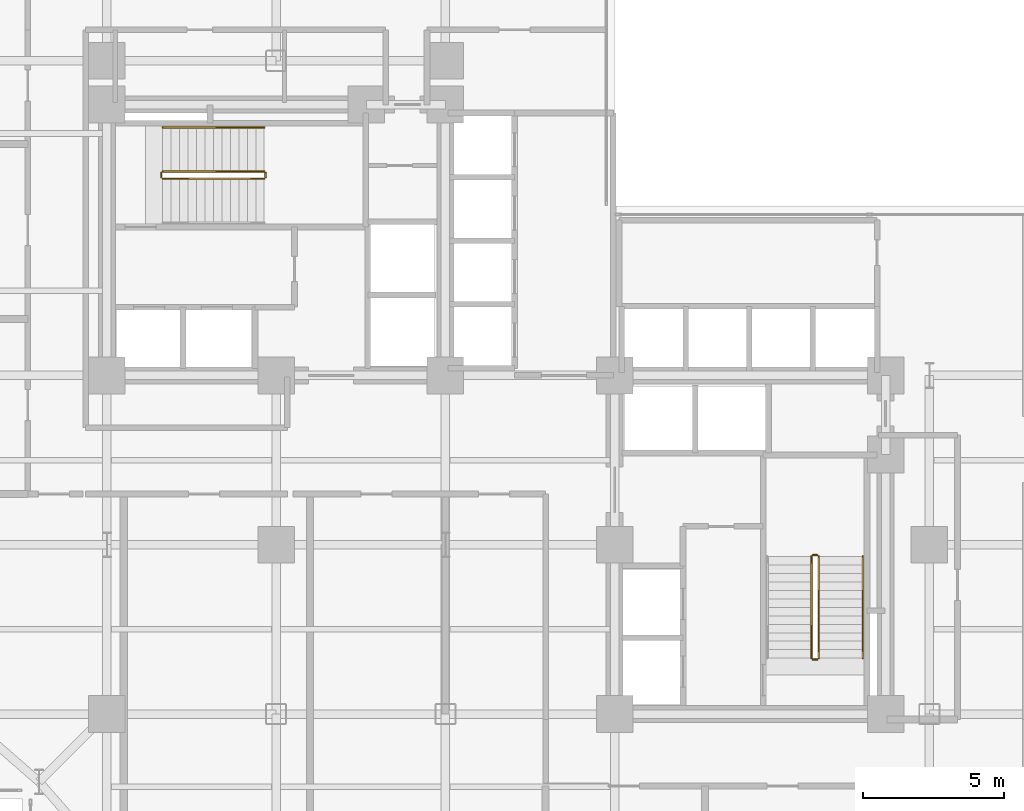
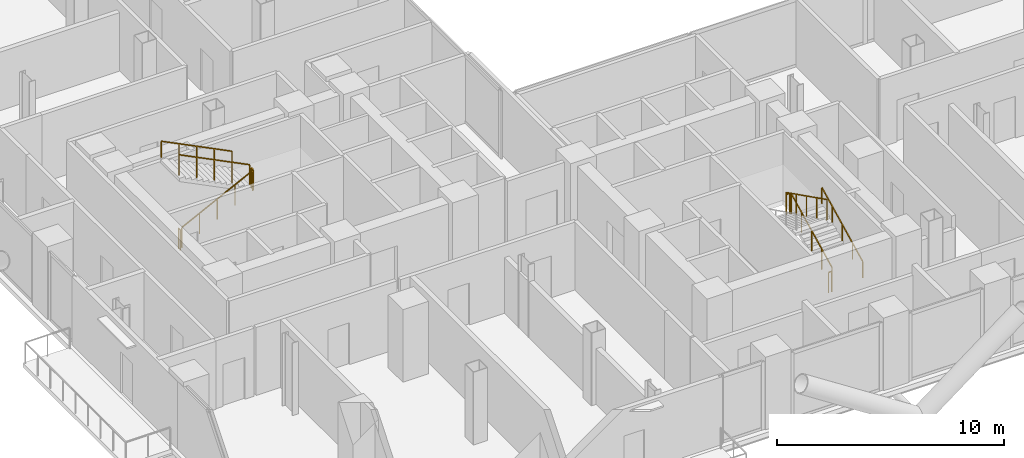
# One storey, part 25 of 25: 10 railings.
"""IFC4 building model written with IfcOpenShell, lengths in metres."""

from ifc_helpers import new_model, si_unit, direction, frame, origin, origin_2d, place, context, subcontext, project, spatial, rectangle, extrude, material, type_object, element, save


model = new_model("IFC4")

# Units and contexts
model_context = context("Model", 3, precision=1e-05, world=origin(), true_north=direction((0.0, 1.0)))
body_context = subcontext(model_context, "Body", "Model", "MODEL_VIEW")
ifc_project = project(units=[si_unit("LENGTHUNIT", "METRE"), si_unit("AREAUNIT", "SQUARE_METRE"), si_unit("VOLUMEUNIT", "CUBIC_METRE"), si_unit("PLANEANGLEUNIT", "RADIAN"), si_unit("MASSUNIT", "GRAM", prefix="KILO"), si_unit("THERMODYNAMICTEMPERATUREUNIT", "KELVIN"), si_unit("POWERUNIT", "WATT")], contexts=[model_context])

# Site, building, storey
site_placement = place(None, origin())
site = spatial("IfcSite", under=ifc_project, at=site_placement, CompositionType="ELEMENT")
building_placement = place(site_placement, origin())
building = spatial("IfcBuilding", under=site, at=building_placement, Name="Svarakhadi Broadcast Tower", CompositionType="ELEMENT")
storey_placement = place(building_placement, frame((0.0, 0.0, 79.199951171875)))
storey = spatial("IfcBuildingStorey", under=building, at=storey_placement, Name="L18", CompositionType="ELEMENT", Elevation=79.199951171875)

# Railings
ifc_material = material(Name="Anodised Bronze Aluminium AA 6063-T6", Category="aluminium")
railing_type_1 = type_object("IfcRailingType", Name="Guard_Stair_GR01", PredefinedType="GUARDRAIL", material=ifc_material)
railing_1_placement = place(storey_placement, frame((7.97998046875, 24.969970703125, 0.150146484375)))
element("IfcRailing", 1, at=railing_1_placement, inside=storey, type_object=railing_type_1, Name="L18 ST-01 stair guard 1", PredefinedType="GUARDRAIL", context=body_context, shape_type="SweptSolid", body=[
    extrude(rectangle(XDim=0.048095703125, YDim=0.048095703125, at=origin_2d()), frame((0.0, 0.0, 1.09619140625), z_axis=(0.894451452574, 0.0, 0.447165069061), x_axis=(0.0, 1.0, 0.0)), (0.0, 0.0, 1.0), 4.02490234375),
    extrude(rectangle(XDim=0.0419921875, YDim=0.0419921875, at=origin_2d()), origin(), (0.0, 0.0, 1.0), 1.072021484375),
    extrude(rectangle(XDim=0.0419921875, YDim=0.0419921875, at=origin_2d()), frame((0.89990234375, 0.0, 0.449951171875)), (0.0, 0.0, 1.0), 1.072021484375),
    extrude(rectangle(XDim=0.0419921875, YDim=0.0419921875, at=origin_2d()), frame((1.800048828125, 0.0, 0.89990234375)), (0.0, 0.0, 1.0), 1.072021484375),
    extrude(rectangle(XDim=0.0419921875, YDim=0.0419921875, at=origin_2d()), frame((2.7001953125, 0.0, 1.349853515625)), (0.0, 0.0, 1.0), 1.072021484375),
    extrude(rectangle(XDim=0.0419921875, YDim=0.0419921875, at=origin_2d()), frame((3.60009765625, 0.0, 1.7998046875)), (0.0, 0.0, 1.0), 1.072021484375),
])
railing_2_placement = place(storey_placement, frame((11.6298828125, 25.02001953125, 1.949951171875)))
element("IfcRailing", 2, at=railing_2_placement, inside=storey, type_object=railing_type_1, Name="L18 ST-01 stair guard 2", PredefinedType="GUARDRAIL", context=body_context, shape_type="SweptSolid", body=[
    extrude(rectangle(XDim=0.048095703125, YDim=0.048095703125, at=origin_2d()), frame((0.0, 0.0, 1.09619140625), z_axis=(0.0, 1.0, 0.0), x_axis=(-1.0, 0.0, 0.0)), (0.0, 0.0, 1.0), 0.159912109375),
    extrude(rectangle(XDim=0.0419921875, YDim=0.0419921875, at=origin_2d()), origin(), (0.0, 0.0, 1.0), 1.072021484375),
    extrude(rectangle(XDim=0.0419921875, YDim=0.0419921875, at=origin_2d()), frame((0.0, 0.159912109375, 0.0)), (0.0, 0.0, 1.0), 1.072021484375),
])
railing_3_placement = place(storey_placement, frame((11.580078125, 25.22998046875, 2.10009765625)))
element("IfcRailing", 3, at=railing_3_placement, inside=storey, type_object=railing_type_1, Name="L18 ST-01 stair guard 3", PredefinedType="GUARDRAIL", context=body_context, shape_type="SweptSolid", body=[
    extrude(rectangle(XDim=0.048095703125, YDim=0.048095703125, at=origin_2d()), frame((0.0, 0.0, 1.09619140625), z_axis=(-0.894427191, 0.0, 0.4472135955), x_axis=(0.0, -1.0, 0.0)), (0.0, 0.0, 1.0), 4.025146484375),
    extrude(rectangle(XDim=0.0419921875, YDim=0.0419921875, at=origin_2d()), origin(), (0.0, 0.0, 1.0), 1.072021484375),
    extrude(rectangle(XDim=0.0419921875, YDim=0.0419921875, at=origin_2d()), frame((-0.89990234375, 0.0, 0.449951171875)), (0.0, 0.0, 1.0), 1.072021484375),
    extrude(rectangle(XDim=0.0419921875, YDim=0.0419921875, at=origin_2d()), frame((-1.800048828125, 0.0, 0.89990234375)), (0.0, 0.0, 1.0), 1.072021484375),
    extrude(rectangle(XDim=0.0419921875, YDim=0.0419921875, at=origin_2d()), frame((-2.7001953125, 0.0, 1.35009765625)), (0.0, 0.0, 1.0), 1.072021484375),
    extrude(rectangle(XDim=0.0419921875, YDim=0.0419921875, at=origin_2d()), frame((-3.60009765625, 0.0, 1.800048828125)), (0.0, 0.0, 1.0), 1.072021484375),
])
railing_4_placement = place(storey_placement, frame((7.929931640625, 25.02001953125, 0.0)))
element("IfcRailing", 4, at=railing_4_placement, inside=storey, type_object=railing_type_1, Name="L18 ST-01 stair guard 4", PredefinedType="GUARDRAIL", context=body_context, shape_type="SweptSolid", body=[
    extrude(rectangle(XDim=0.048095703125, YDim=0.048095703125, at=origin_2d()), frame((0.0, 0.0, 1.09619140625), z_axis=(0.0, 1.0, 0.0), x_axis=(-1.0, 0.0, 0.0)), (0.0, 0.0, 1.0), 0.159912109375),
    extrude(rectangle(XDim=0.0419921875, YDim=0.0419921875, at=origin_2d()), origin(), (0.0, 0.0, 1.0), 1.072021484375),
    extrude(rectangle(XDim=0.0419921875, YDim=0.0419921875, at=origin_2d()), frame((0.0, 0.159912109375, 0.0)), (0.0, 0.0, 1.0), 1.072021484375),
])
railing_5_placement = place(storey_placement, frame((31.22998046875, 7.97998046875, 0.150146484375)))
element("IfcRailing", 5, at=railing_5_placement, inside=storey, type_object=railing_type_1, Name="L18 ST-02 stair guard 1", PredefinedType="GUARDRAIL", context=body_context, shape_type="SweptSolid", body=[
    extrude(rectangle(XDim=0.048095703125, YDim=0.048095703125, at=origin_2d()), frame((0.0, 0.0, 1.09619140625), z_axis=(0.0, 0.894451452574, 0.447165069061), x_axis=(-1.0, 0.0, 0.0)), (0.0, 0.0, 1.0), 4.02490234375),
    extrude(rectangle(XDim=0.0419921875, YDim=0.0419921875, at=origin_2d()), origin(), (0.0, 0.0, 1.0), 1.072021484375),
    extrude(rectangle(XDim=0.0419921875, YDim=0.0419921875, at=origin_2d()), frame((0.0, 0.89990234375, 0.449951171875)), (0.0, 0.0, 1.0), 1.072021484375),
    extrude(rectangle(XDim=0.0419921875, YDim=0.0419921875, at=origin_2d()), frame((0.0, 1.800048828125, 0.89990234375)), (0.0, 0.0, 1.0), 1.072021484375),
    extrude(rectangle(XDim=0.0419921875, YDim=0.0419921875, at=origin_2d()), frame((0.0, 2.7001953125, 1.349853515625)), (0.0, 0.0, 1.0), 1.072021484375),
    extrude(rectangle(XDim=0.0419921875, YDim=0.0419921875, at=origin_2d()), frame((0.0, 3.60009765625, 1.7998046875)), (0.0, 0.0, 1.0), 1.072021484375),
])
railing_6_placement = place(storey_placement, frame((31.179931640625, 11.6298828125, 1.949951171875)))
element("IfcRailing", 6, at=railing_6_placement, inside=storey, type_object=railing_type_1, Name="L18 ST-02 stair guard 2", PredefinedType="GUARDRAIL", context=body_context, shape_type="SweptSolid", body=[
    extrude(rectangle(XDim=0.048095703125, YDim=0.048095703125, at=origin_2d()), frame((0.0, 0.0, 1.09619140625), z_axis=(-1.0, 0.0, 0.0), x_axis=(0.0, -1.0, 0.0)), (0.0, 0.0, 1.0), 0.159912109375),
    extrude(rectangle(XDim=0.0419921875, YDim=0.0419921875, at=origin_2d()), origin(), (0.0, 0.0, 1.0), 1.072021484375),
    extrude(rectangle(XDim=0.0419921875, YDim=0.0419921875, at=origin_2d()), frame((-0.159912109375, 0.0, 0.0)), (0.0, 0.0, 1.0), 1.072021484375),
])
railing_7_placement = place(storey_placement, frame((30.969970703125, 11.580078125, 2.10009765625)))
element("IfcRailing", 7, at=railing_7_placement, inside=storey, type_object=railing_type_1, Name="L18 ST-02 stair guard 3", PredefinedType="GUARDRAIL", context=body_context, shape_type="SweptSolid", body=[
    extrude(rectangle(XDim=0.048095703125, YDim=0.048095703125, at=origin_2d()), frame((0.0, 0.0, 1.09619140625), z_axis=(0.0, -0.894427191, 0.4472135955), x_axis=(1.0, 0.0, 0.0)), (0.0, 0.0, 1.0), 4.025146484375),
    extrude(rectangle(XDim=0.0419921875, YDim=0.0419921875, at=origin_2d()), origin(), (0.0, 0.0, 1.0), 1.072021484375),
    extrude(rectangle(XDim=0.0419921875, YDim=0.0419921875, at=origin_2d()), frame((0.0, -0.89990234375, 0.449951171875)), (0.0, 0.0, 1.0), 1.072021484375),
    extrude(rectangle(XDim=0.0419921875, YDim=0.0419921875, at=origin_2d()), frame((0.0, -1.800048828125, 0.89990234375)), (0.0, 0.0, 1.0), 1.072021484375),
    extrude(rectangle(XDim=0.0419921875, YDim=0.0419921875, at=origin_2d()), frame((0.0, -2.7001953125, 1.35009765625)), (0.0, 0.0, 1.0), 1.072021484375),
    extrude(rectangle(XDim=0.0419921875, YDim=0.0419921875, at=origin_2d()), frame((0.0, -3.60009765625, 1.800048828125)), (0.0, 0.0, 1.0), 1.072021484375),
])
railing_8_placement = place(storey_placement, frame((31.179931640625, 7.929931640625, 0.0)))
element("IfcRailing", 8, at=railing_8_placement, inside=storey, type_object=railing_type_1, Name="L18 ST-02 stair guard 4", PredefinedType="GUARDRAIL", context=body_context, shape_type="SweptSolid", body=[
    extrude(rectangle(XDim=0.048095703125, YDim=0.048095703125, at=origin_2d()), frame((0.0, 0.0, 1.09619140625), z_axis=(-1.0, 0.0, 0.0), x_axis=(0.0, -1.0, 0.0)), (0.0, 0.0, 1.0), 0.159912109375),
    extrude(rectangle(XDim=0.0419921875, YDim=0.0419921875, at=origin_2d()), origin(), (0.0, 0.0, 1.0), 1.072021484375),
    extrude(rectangle(XDim=0.0419921875, YDim=0.0419921875, at=origin_2d()), frame((-0.159912109375, 0.0, 0.0)), (0.0, 0.0, 1.0), 1.072021484375),
])
railing_type_2 = type_object("IfcRailingType", Name="Handrail_Stair_HR01", PredefinedType="HANDRAIL", material=ifc_material)
railing_9_placement = place(storey_placement, frame((11.580078125, 26.7900390625, 2.10009765625)))
element("IfcRailing", 9, at=railing_9_placement, inside=storey, type_object=railing_type_2, Name="L18 ST-01 stair handrail 2", PredefinedType="HANDRAIL", context=body_context, shape_type="SweptSolid", body=[
    extrude(rectangle(XDim=0.048095703125, YDim=0.048095703125, at=origin_2d()), frame((0.0, 0.0, 0.8759765625), z_axis=(-0.894427191, 0.0, 0.4472135955), x_axis=(0.0, -1.0, 0.0)), (0.0, 0.0, 1.0), 4.025146484375),
    extrude(rectangle(XDim=0.0419921875, YDim=0.0419921875, at=origin_2d()), origin(), (0.0, 0.0, 1.0), 0.851806640625),
    extrude(rectangle(XDim=0.0419921875, YDim=0.0419921875, at=origin_2d()), frame((-0.89990234375, 0.0, 0.449951171875)), (0.0, 0.0, 1.0), 0.851806640625),
    extrude(rectangle(XDim=0.0419921875, YDim=0.0419921875, at=origin_2d()), frame((-1.800048828125, 0.0, 0.89990234375)), (0.0, 0.0, 1.0), 0.851806640625),
    extrude(rectangle(XDim=0.0419921875, YDim=0.0419921875, at=origin_2d()), frame((-2.7001953125, 0.0, 1.35009765625)), (0.0, 0.0, 1.0), 0.851806640625),
    extrude(rectangle(XDim=0.0419921875, YDim=0.0419921875, at=origin_2d()), frame((-3.60009765625, 0.0, 1.800048828125)), (0.0, 0.0, 1.0), 0.851806640625),
])
railing_10_placement = place(storey_placement, frame((32.7900390625, 7.97998046875, 0.150146484375)))
element("IfcRailing", 10, at=railing_10_placement, inside=storey, type_object=railing_type_2, Name="L18 ST-02 stair handrail 1", PredefinedType="HANDRAIL", context=body_context, shape_type="SweptSolid", body=[
    extrude(rectangle(XDim=0.048095703125, YDim=0.048095703125, at=origin_2d()), frame((0.0, 0.0, 0.8759765625), z_axis=(0.0, 0.894451452574, 0.447165069061), x_axis=(-1.0, 0.0, 0.0)), (0.0, 0.0, 1.0), 4.02490234375),
    extrude(rectangle(XDim=0.0419921875, YDim=0.0419921875, at=origin_2d()), origin(), (0.0, 0.0, 1.0), 0.851806640625),
    extrude(rectangle(XDim=0.0419921875, YDim=0.0419921875, at=origin_2d()), frame((0.0, 0.89990234375, 0.449951171875)), (0.0, 0.0, 1.0), 0.851806640625),
    extrude(rectangle(XDim=0.0419921875, YDim=0.0419921875, at=origin_2d()), frame((0.0, 1.800048828125, 0.89990234375)), (0.0, 0.0, 1.0), 0.851806640625),
    extrude(rectangle(XDim=0.0419921875, YDim=0.0419921875, at=origin_2d()), frame((0.0, 2.7001953125, 1.349853515625)), (0.0, 0.0, 1.0), 0.851806640625),
    extrude(rectangle(XDim=0.0419921875, YDim=0.0419921875, at=origin_2d()), frame((0.0, 3.60009765625, 1.7998046875)), (0.0, 0.0, 1.0), 0.851806640625),
])

save(model, "model.ifc")
